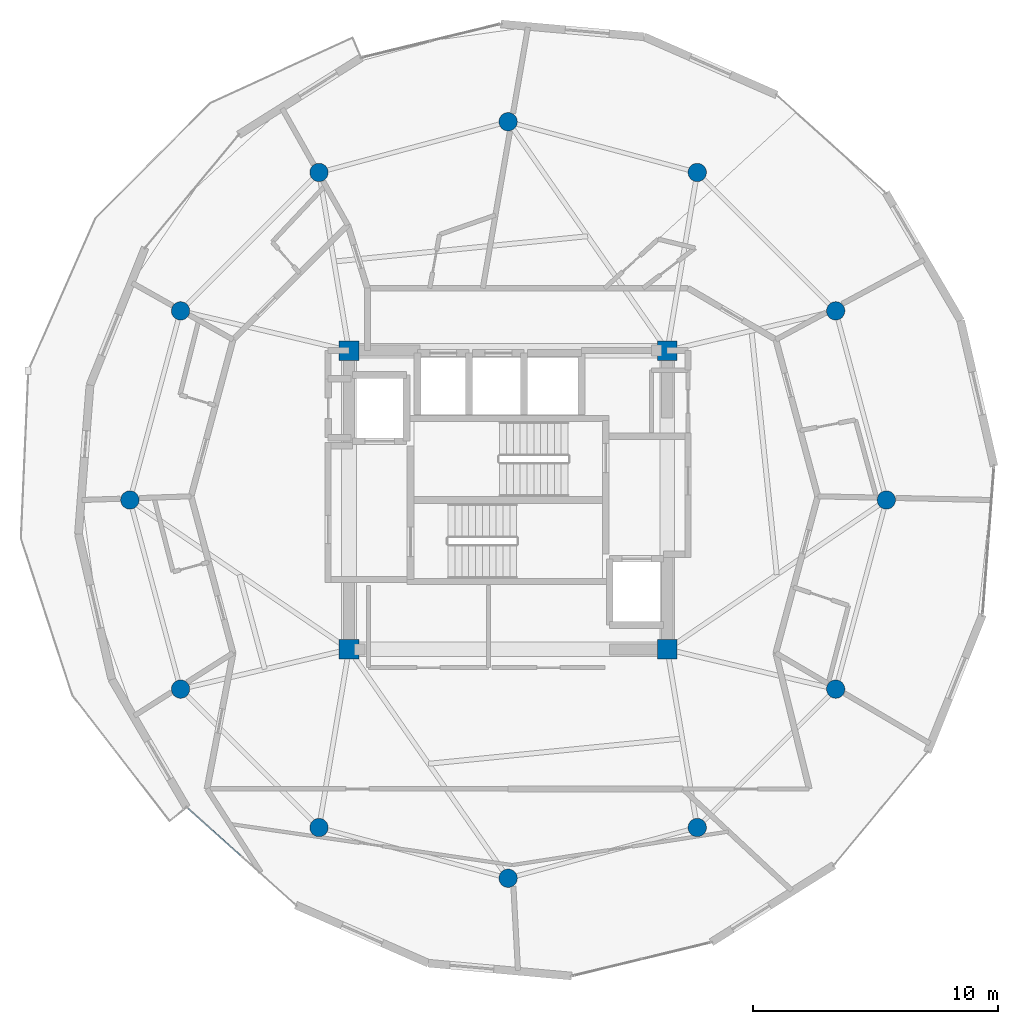
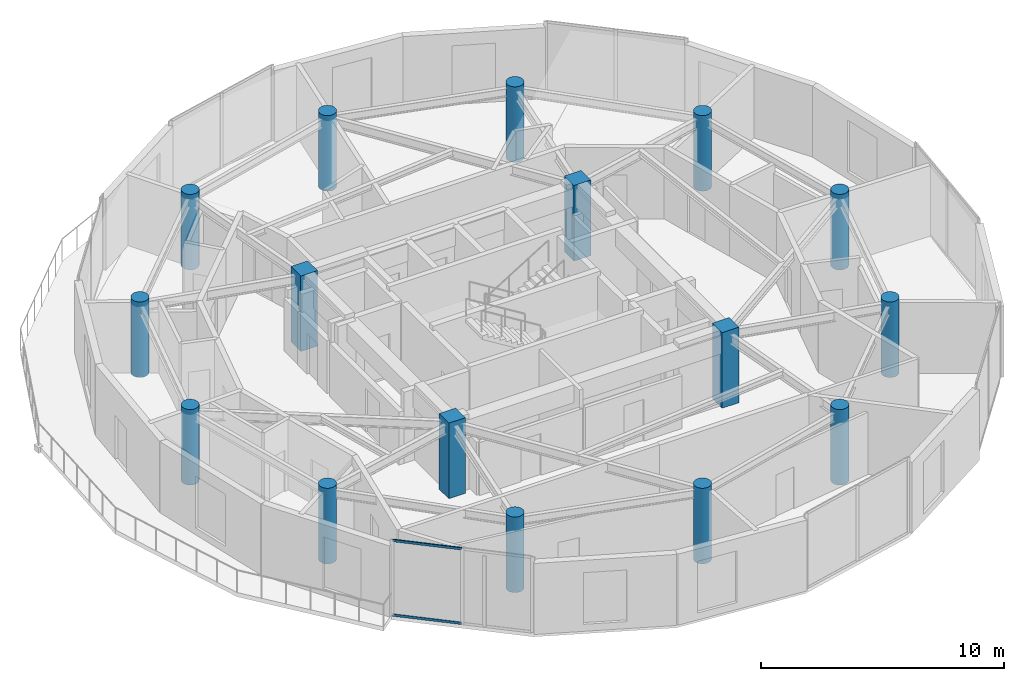
# One storey, part 1 of 19: 16 columns, 2 members, 1 element without a shape of its own.
"""IFC4 building model written with IfcOpenShell, lengths in metres."""

from ifc_helpers import new_model, si_unit, direction, frame, origin, origin_2d, place, context, subcontext, project, spatial, rectangle, hollow_rectangle, circle, extrude, source, transform, mapped, material, layer, layer_set, material_profile, profile_set, type_object, element, aggregate, save


model = new_model("IFC4")

# Units and contexts
model_context = context("Model", 3, precision=1e-05, world=origin(), true_north=direction((0.0, 1.0)))
body_context = subcontext(model_context, "Body", "Model", "MODEL_VIEW")
ifc_project = project(units=[si_unit("LENGTHUNIT", "METRE"), si_unit("AREAUNIT", "SQUARE_METRE"), si_unit("VOLUMEUNIT", "CUBIC_METRE"), si_unit("PLANEANGLEUNIT", "RADIAN"), si_unit("MASSUNIT", "GRAM", prefix="KILO")], contexts=[model_context])

# Site, building, storey
site_placement = place(None, origin())
site = spatial("IfcSite", under=ifc_project, at=site_placement, CompositionType="ELEMENT")
building_placement = place(site_placement, origin())
building = spatial("IfcBuilding", under=site, at=building_placement, Name="Solvirekh Grand Hotel", CompositionType="ELEMENT")
storey_placement = place(building_placement, frame((0.0, 0.0, 266.800048828125)))
storey = spatial("IfcBuildingStorey", under=building, at=storey_placement, Name="L69", CompositionType="ELEMENT", Elevation=266.800048828125)

# Columns
ifc_material_1 = material(Name="Concrete C50/60", Category="concrete")
ifc_material_profile_1 = material_profile(ifc_material_1, rectangle(XDim=0.800048828125, YDim=0.800048828125, at=origin_2d()), Name="RC 800X800")
ifc_profile_set_1 = profile_set([ifc_material_profile_1], Name="Concrete C50/60")
column_type_1 = type_object("IfcColumnType", Name="Col_Core_800", PredefinedType="COLUMN", material=ifc_profile_set_1)
for number, where, z_axis, x_axis, name in (
    (1, (-6.5, -6.10009765625, 0.0), (0.0, 0.0, 1.0), (1.0, 0.0, 0.0), "L69 core corner column CC1"),
    (2, (6.5, -6.10009765625, 0.0), (0.0, 0.0, 1.0), (1.0, 0.0, 0.0), "L69 core corner column CC2"),
    (3, (6.5, 6.10009765625, 0.0), (0.0, 0.0, 1.0), (1.0, 0.0, 0.0), "L69 core corner column CC3"),
    (4, (-6.5, 6.10009765625, 0.0), (0.0, 0.0, 1.0), (1.0, 0.0, 0.0), "L69 core corner column CC4"),
):
    element("IfcColumn", number, at=place(storey_placement, frame(where, z_axis=z_axis, x_axis=x_axis)), inside=storey, type_object=column_type_1, Name=name, PredefinedType="COLUMN", context=body_context, shape_type="SweptSolid", body=[
        extrude(rectangle(XDim=0.800048828125, YDim=0.800048828125, at=origin_2d()), origin(), (0.0, 0.0, 1.0), 3.800048828125),
    ])
ifc_material_profile_2 = material_profile(ifc_material_1, circle(Radius=0.375, at=origin_2d()), Name="RC CIRC D750")
ifc_profile_set_2 = profile_set([ifc_material_profile_2], Name="Concrete C50/60")
column_type_2 = type_object("IfcColumnType", Name="Col_Z4_D750", PredefinedType="COLUMN", material=ifc_profile_set_2)
for number, where, z_axis, x_axis, name in (
    (5, (15.449951171875, 0.0, 0.0), (0.0, 0.0, 1.0), (1.0, 0.0, 0.0), "L69 perimeter column P01"),
    (6, (13.3798828125, 7.72509765625, 0.0), (0.0, 0.0, 1.0), (1.0, 0.0, 0.0), "L69 perimeter column P02"),
    (7, (7.72509765625, 13.3798828125, 0.0), (0.0, 0.0, 1.0), (1.0, 0.0, 0.0), "L69 perimeter column P03"),
    (8, (0.0, 15.449951171875, 0.0), (0.0, 0.0, 1.0), (1.0, 0.0, 0.0), "L69 perimeter column P04"),
    (9, (-7.72509765625, 13.3798828125, 0.0), (0.0, 0.0, 1.0), (1.0, 0.0, 0.0), "L69 perimeter column P05"),
    (10, (-13.3798828125, 7.72509765625, 0.0), (0.0, 0.0, 1.0), (1.0, 0.0, 0.0), "L69 perimeter column P06"),
    (11, (-15.449951171875, 0.0, 0.0), (0.0, 0.0, 1.0), (1.0, 0.0, 0.0), "L69 perimeter column P07"),
    (12, (-13.3798828125, -7.72509765625, 0.0), (0.0, 0.0, 1.0), (1.0, 0.0, 0.0), "L69 perimeter column P08"),
    (13, (-7.72509765625, -13.3798828125, 0.0), (0.0, 0.0, 1.0), (1.0, 0.0, 0.0), "L69 perimeter column P09"),
    (14, (0.0, -15.449951171875, 0.0), (0.0, 0.0, 1.0), (1.0, 0.0, 0.0), "L69 perimeter column P10"),
    (15, (7.72509765625, -13.3798828125, 0.0), (0.0, 0.0, 1.0), (1.0, 0.0, 0.0), "L69 perimeter column P11"),
    (16, (13.3798828125, -7.72509765625, 0.0), (0.0, 0.0, 1.0), (1.0, 0.0, 0.0), "L69 perimeter column P12"),
):
    element("IfcColumn", number, at=place(storey_placement, frame(where, z_axis=z_axis, x_axis=x_axis)), inside=storey, type_object=column_type_2, Name=name, PredefinedType="COLUMN", context=body_context, shape_type="SweptSolid", body=[
        extrude(circle(Radius=0.375, at=origin_2d()), origin(), (0.0, 0.0, 1.0), 3.800048828125),
    ])

# Curtain wall, members
ifc_material_2 = material(Name="Anodized Bronze Aluminium 6063-T6", Category="aluminium")
ifc_layer = layer(ifc_material_2, 0.159912109375)
ifc_layer_set = layer_set([ifc_layer], Name="Anodized Bronze Aluminium 6063-T6")
curtain_wall_type = type_object("IfcCurtainWallType", Name="CW_Sys4_HighZoneFlushBronzeCW", PredefinedType="NOTDEFINED", material=ifc_layer_set)
curtain_wall_placement = place(storey_placement, origin())
curtain_wall = element("IfcCurtainWall", 17, at=curtain_wall_placement, inside=storey, type_object=curtain_wall_type, Name="L69 unitised bronze-glass curtain wall CW-L69-C18", PredefinedType="NOTDEFINED")
ifc_material_profile_3 = material_profile(ifc_material_2, hollow_rectangle(XDim=0.054931640625, YDim=0.1201171875, WallThickness=0.00390625, at=origin_2d()), Name="ALU RHS 120X55X4")
ifc_profile_set_3 = profile_set([ifc_material_profile_3], Name="Anodized Bronze Aluminium 6063-T6")
member_type = type_object("IfcMemberType", Name="CWTransom_Sys4", PredefinedType="USERDEFINED", material=ifc_profile_set_3)
shared_shape = source(origin(), body_context, "Body", "SweptSolid", [
    extrude(hollow_rectangle(XDim=0.054931640625, YDim=0.1201171875, WallThickness=0.00390625, at=origin_2d()), origin(), (0.0, 0.0, 1.0), 2.90234375),
])
member_1_placement = place(storey_placement, frame((-13.085205078125, -12.592041015625, 0.02734375), z_axis=(0.744543488851, -0.667573960854, 0.0), x_axis=(0.667573960854, 0.744543488851, 0.0)))
member_1 = element("IfcMember", 18, at=member_1_placement, type_object=member_type, Name="U04 transom 1.1", ObjectType="TRANSOM", PredefinedType="USERDEFINED", context=body_context, shape_type="MappedRepresentation", body=[
    mapped(shared_shape, transform((0.0, 0.0, 0.0), x_axis=(1.0, 0.0, 0.0), y_axis=(0.0, 1.0, 0.0), z_axis=(0.0, 0.0, 1.0), scale=1.0)),
])
member_2_placement = place(storey_placement, frame((-13.085205078125, -12.592041015625, 3.7724609375), z_axis=(0.744543488851, -0.667573960854, 0.0), x_axis=(0.667573960854, 0.744543488851, 0.0)))
member_2 = element("IfcMember", 19, at=member_2_placement, type_object=member_type, Name="U04 transom 1.2", ObjectType="TRANSOM", PredefinedType="USERDEFINED", context=body_context, shape_type="MappedRepresentation", body=[
    mapped(shared_shape, transform((0.0, 0.0, 0.0), x_axis=(1.0, 0.0, 0.0), y_axis=(0.0, 1.0, 0.0), z_axis=(0.0, 0.0, 1.0), scale=1.0)),
])
aggregate(curtain_wall, [member_1, member_2])

save(model, "model.ifc")
